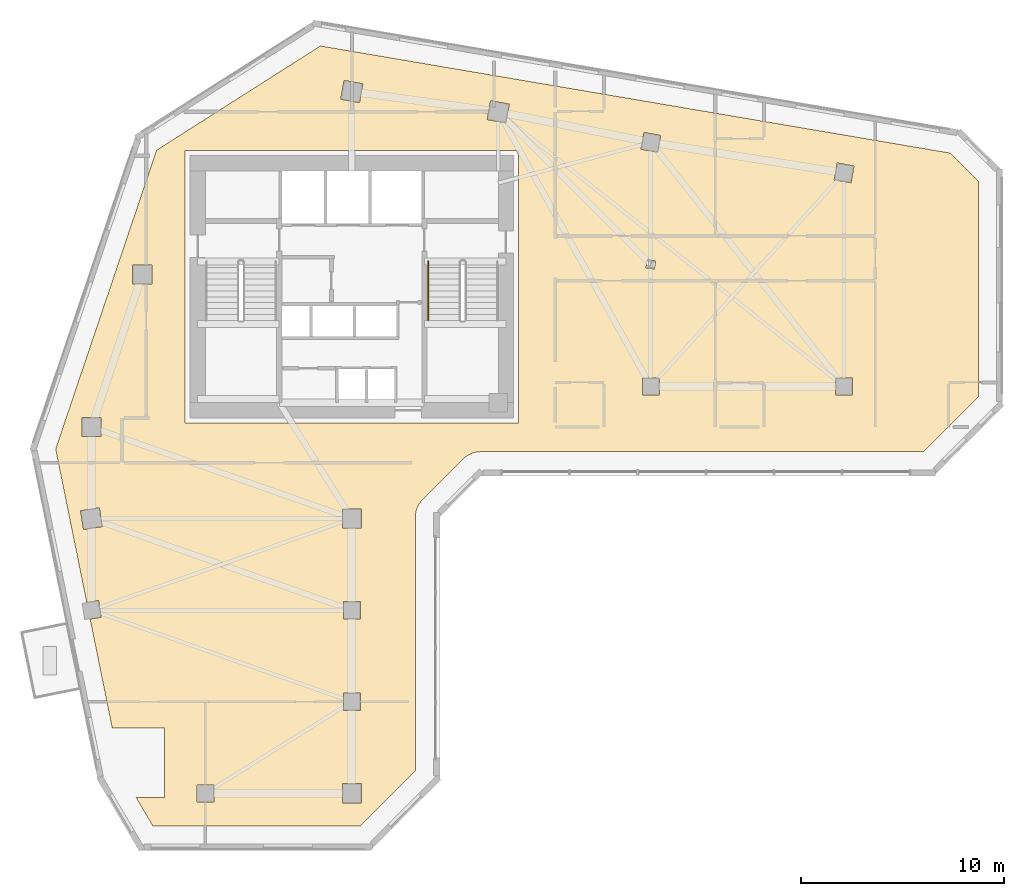
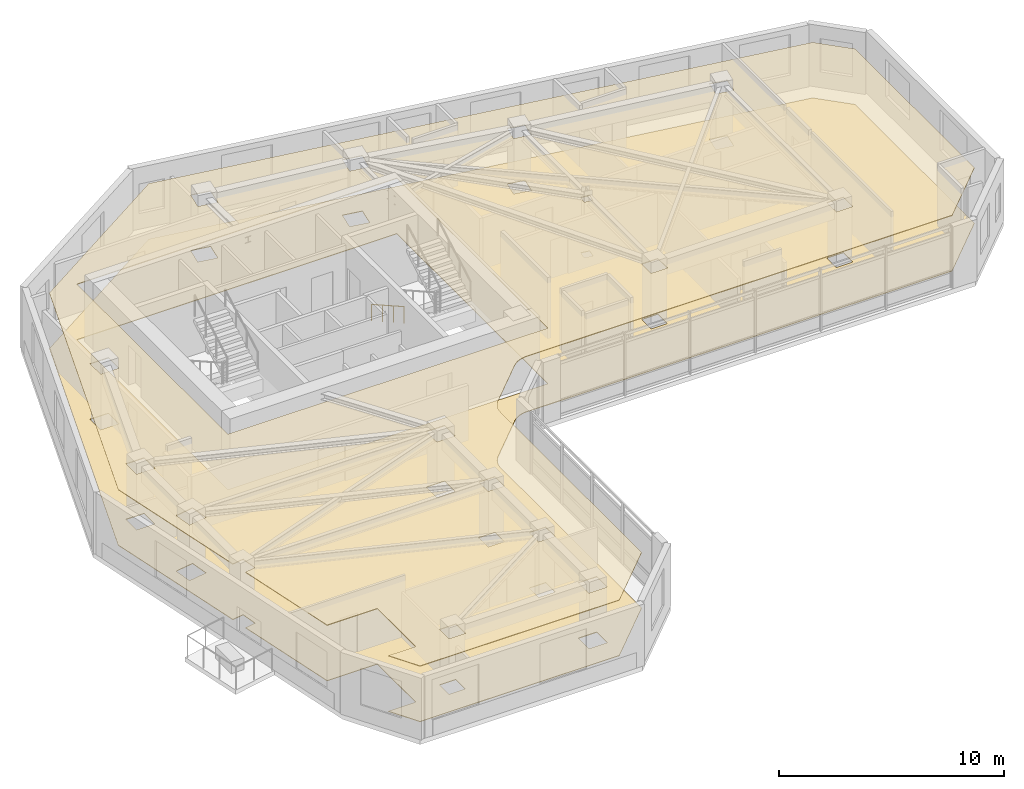
# One storey, part 10 of 11: 2 coverings, 1 railing.
"""IFC4 building model written with IfcOpenShell, lengths in metres."""

from ifc_helpers import new_model, si_unit, direction, frame, origin, origin_2d, place, context, subcontext, project, spatial, polyline, circle, outline, extrude, material, layer, layer_set, type_object, element, save


model = new_model("IFC4")

# Units and contexts
model_context = context("Model", 3, precision=1e-05, world=origin(), true_north=direction((0.0, 1.0)))
body_context = subcontext(model_context, "Body", "Model", "MODEL_VIEW")
ifc_project = project(units=[si_unit("LENGTHUNIT", "METRE"), si_unit("AREAUNIT", "SQUARE_METRE"), si_unit("VOLUMEUNIT", "CUBIC_METRE"), si_unit("PLANEANGLEUNIT", "RADIAN"), si_unit("MASSUNIT", "GRAM", prefix="KILO")], contexts=[model_context])

# Site, building, storey
site_placement = place(None, origin())
site = spatial("IfcSite", under=ifc_project, at=site_placement, CompositionType="ELEMENT")
building_placement = place(site_placement, origin())
building = spatial("IfcBuilding", under=site, at=building_placement, Name="Calvemar Wedge Station Tower", CompositionType="ELEMENT")
storey_placement = place(building_placement, frame((0.0, 0.0, 161.0)))
storey = spatial("IfcBuildingStorey", under=building, at=storey_placement, Name="L40", CompositionType="ELEMENT", Elevation=161.0)

# Coverings
ifc_material_1 = material(Name="Moisture-resistant gypsum ceiling")
ifc_layer_1 = layer(ifc_material_1, 0.0400390625)
ifc_layer_set_1 = layer_set([ifc_layer_1], Name="Moisture-resistant gypsum ceiling")
covering_type_1 = type_object("IfcCoveringType", Name="COV-CEIL-GYPSUM", PredefinedType="CEILING", material=ifc_layer_set_1)
covering_1_placement = place(storey_placement, frame((0.0, 0.0, 3.0)))
element("IfcCovering", 1, at=covering_1_placement, inside=storey, type_object=covering_type_1, Name="Storey L40 Acoustic Suspended Ceiling", PredefinedType="CEILING", context=body_context, shape_type="SweptSolid", body=[
    extrude(outline(polyline([(27.279541015625, 29.4404296875), (29.279541015625, 31.4404296875), (29.36669921875, 31.51953125), (29.461181640625, 31.58984375), (29.562255859375, 31.650390625), (29.668701171875, 31.70068359375), (29.77978515625, 31.740234375), (29.893798828125, 31.768798828125), (30.010498046875, 31.7861328125), (30.1279296875, 31.7919921875), (51.90283203125, 31.7919921875), (54.60009765625, 34.489013671875), (54.60009765625, 45.094970703125), (53.221923828125, 46.47314453125), (22.25439453125, 51.739501953125), (14.201416015625, 46.614990234375), (9.240234375, 31.922119140625), (10.76904296875, 24.388427734375), (11.348388671875, 24.481201171875), (11.481201171875, 23.651611328125), (10.936279296875, 23.564453125), (12.02490234375, 18.199951171875), (14.60009765625, 18.199951171875), (14.60009765625, 14.800048828125), (13.19091796875, 14.800048828125), (14.014404296875, 13.39990234375), (24.23095703125, 13.39990234375), (26.927978515625, 16.09716796875), (26.927978515625, 28.592041015625), (26.933837890625, 28.709716796875), (26.951171875, 28.826171875), (26.979736328125, 28.940185546875), (27.019287109375, 29.05126953125), (27.069580078125, 29.15771484375), (27.130126953125, 29.2587890625), (27.200439453125, 29.353271484375), (27.279541015625, 29.4404296875)]), holes=[polyline([(15.60009765625, 46.60009765625), (32.0, 46.60009765625), (32.0, 33.199951171875), (15.60009765625, 33.199951171875), (15.60009765625, 46.60009765625)]), polyline([(10.530029296875, 32.530029296875), (10.530029296875, 33.469970703125), (11.469970703125, 33.469970703125), (11.469970703125, 32.530029296875), (10.530029296875, 32.530029296875)]), polyline([(13.030029296875, 40.969970703125), (13.969970703125, 40.969970703125), (13.969970703125, 40.030029296875), (13.030029296875, 40.030029296875), (13.030029296875, 40.969970703125)]), polyline([(24.345703125, 49.87939453125), (24.17919921875, 48.9541015625), (23.254150390625, 49.12060546875), (23.420654296875, 50.0458984375), (24.345703125, 49.87939453125)]), polyline([(31.37939453125, 47.9541015625), (30.4541015625, 48.12060546875), (30.62060546875, 49.0458984375), (31.5458984375, 48.87939453125), (31.37939453125, 47.9541015625)]), polyline([(38.01220703125, 46.660888671875), (38.160888671875, 47.48779296875), (38.98779296875, 47.339111328125), (38.839111328125, 46.51220703125), (38.01220703125, 46.660888671875)]), polyline([(47.660888671875, 45.98779296875), (48.48779296875, 45.839111328125), (48.339111328125, 45.01220703125), (47.51220703125, 45.160888671875), (47.660888671875, 45.98779296875)]), polyline([(38.919921875, 35.419921875), (38.919921875, 34.580078125), (38.080078125, 34.580078125), (38.080078125, 35.419921875), (38.919921875, 35.419921875)]), polyline([(48.419921875, 34.580078125), (47.580078125, 34.580078125), (47.580078125, 35.419921875), (48.419921875, 35.419921875), (48.419921875, 34.580078125)]), polyline([(38.259765625, 40.833984375), (38.332763671875, 41.239501953125), (38.740234375, 41.166015625), (38.667236328125, 40.760498046875), (38.259765625, 40.833984375)]), polyline([(11.389892578125, 29.038330078125), (11.538330078125, 28.110107421875), (10.610107421875, 27.961669921875), (10.461669921875, 28.889892578125), (11.389892578125, 29.038330078125)]), polyline([(24.27001953125, 28.030029296875), (23.330078125, 28.030029296875), (23.330078125, 28.969970703125), (24.27001953125, 28.969970703125), (24.27001953125, 28.030029296875)]), polyline([(23.3798828125, 23.580078125), (23.3798828125, 24.419921875), (24.219970703125, 24.419921875), (24.219970703125, 23.580078125), (23.3798828125, 23.580078125)]), polyline([(23.3798828125, 19.919921875), (24.219970703125, 19.919921875), (24.219970703125, 19.080078125), (23.3798828125, 19.080078125), (23.3798828125, 19.919921875)]), polyline([(24.27001953125, 15.469970703125), (24.27001953125, 14.530029296875), (23.330078125, 14.530029296875), (23.330078125, 15.469970703125), (24.27001953125, 15.469970703125)]), polyline([(17.02001953125, 14.580078125), (16.179931640625, 14.580078125), (16.179931640625, 15.419921875), (17.02001953125, 15.419921875), (17.02001953125, 14.580078125)])]), origin(), (0.0, 0.0, 1.0), 0.0400390625),
])
ifc_material_2 = material(Name="Honed coastal granite stone tile", Category="masonry")
ifc_layer_2 = layer(ifc_material_2, 0.030029296875)
ifc_layer_set_2 = layer_set([ifc_layer_2], Name="Honed coastal granite stone tile")
covering_type_2 = type_object("IfcCoveringType", Name="COV-FLR-STONE", PredefinedType="FLOORING", material=ifc_layer_set_2)
covering_2_placement = place(storey_placement, origin())
element("IfcCovering", 2, at=covering_2_placement, inside=storey, type_object=covering_type_2, Name="Storey L40 Architectural Floor Finish", PredefinedType="FLOORING", context=body_context, shape_type="SweptSolid", body=[
    extrude(outline(polyline([(27.279541015625, 29.4404296875), (29.279541015625, 31.4404296875), (29.36669921875, 31.51953125), (29.461181640625, 31.58984375), (29.562255859375, 31.650390625), (29.668701171875, 31.70068359375), (29.77978515625, 31.740234375), (29.893798828125, 31.768798828125), (30.010498046875, 31.7861328125), (30.1279296875, 31.7919921875), (51.90283203125, 31.7919921875), (54.60009765625, 34.489013671875), (54.60009765625, 45.094970703125), (53.221923828125, 46.47314453125), (22.25439453125, 51.739501953125), (14.201416015625, 46.614990234375), (9.240234375, 31.922119140625), (10.76904296875, 24.388427734375), (11.348388671875, 24.481201171875), (11.481201171875, 23.651611328125), (10.936279296875, 23.564453125), (12.02490234375, 18.199951171875), (14.60009765625, 18.199951171875), (14.60009765625, 14.800048828125), (13.19091796875, 14.800048828125), (14.014404296875, 13.39990234375), (24.23095703125, 13.39990234375), (26.927978515625, 16.09716796875), (26.927978515625, 28.592041015625), (26.933837890625, 28.709716796875), (26.951171875, 28.826171875), (26.979736328125, 28.940185546875), (27.019287109375, 29.05126953125), (27.069580078125, 29.15771484375), (27.130126953125, 29.2587890625), (27.200439453125, 29.353271484375), (27.279541015625, 29.4404296875)]), holes=[polyline([(15.60009765625, 46.60009765625), (32.0, 46.60009765625), (32.0, 33.199951171875), (15.60009765625, 33.199951171875), (15.60009765625, 46.60009765625)]), polyline([(10.530029296875, 32.530029296875), (10.530029296875, 33.469970703125), (11.469970703125, 33.469970703125), (11.469970703125, 32.530029296875), (10.530029296875, 32.530029296875)]), polyline([(13.030029296875, 40.969970703125), (13.969970703125, 40.969970703125), (13.969970703125, 40.030029296875), (13.030029296875, 40.030029296875), (13.030029296875, 40.969970703125)]), polyline([(24.345703125, 49.87939453125), (24.17919921875, 48.9541015625), (23.254150390625, 49.12060546875), (23.420654296875, 50.0458984375), (24.345703125, 49.87939453125)]), polyline([(31.37939453125, 47.9541015625), (30.4541015625, 48.12060546875), (30.62060546875, 49.0458984375), (31.5458984375, 48.87939453125), (31.37939453125, 47.9541015625)]), polyline([(38.01220703125, 46.660888671875), (38.160888671875, 47.48779296875), (38.98779296875, 47.339111328125), (38.839111328125, 46.51220703125), (38.01220703125, 46.660888671875)]), polyline([(47.660888671875, 45.98779296875), (48.48779296875, 45.839111328125), (48.339111328125, 45.01220703125), (47.51220703125, 45.160888671875), (47.660888671875, 45.98779296875)]), polyline([(38.919921875, 35.419921875), (38.919921875, 34.580078125), (38.080078125, 34.580078125), (38.080078125, 35.419921875), (38.919921875, 35.419921875)]), polyline([(48.419921875, 34.580078125), (47.580078125, 34.580078125), (47.580078125, 35.419921875), (48.419921875, 35.419921875), (48.419921875, 34.580078125)]), polyline([(38.259765625, 40.833984375), (38.332763671875, 41.239501953125), (38.740234375, 41.166015625), (38.667236328125, 40.760498046875), (38.259765625, 40.833984375)]), polyline([(11.389892578125, 29.038330078125), (11.538330078125, 28.110107421875), (10.610107421875, 27.961669921875), (10.461669921875, 28.889892578125), (11.389892578125, 29.038330078125)]), polyline([(24.27001953125, 28.030029296875), (23.330078125, 28.030029296875), (23.330078125, 28.969970703125), (24.27001953125, 28.969970703125), (24.27001953125, 28.030029296875)]), polyline([(23.3798828125, 23.580078125), (23.3798828125, 24.419921875), (24.219970703125, 24.419921875), (24.219970703125, 23.580078125), (23.3798828125, 23.580078125)]), polyline([(23.3798828125, 19.919921875), (24.219970703125, 19.919921875), (24.219970703125, 19.080078125), (23.3798828125, 19.080078125), (23.3798828125, 19.919921875)]), polyline([(24.27001953125, 15.469970703125), (24.27001953125, 14.530029296875), (23.330078125, 14.530029296875), (23.330078125, 15.469970703125), (24.27001953125, 15.469970703125)]), polyline([(17.02001953125, 14.580078125), (16.179931640625, 14.580078125), (16.179931640625, 15.419921875), (17.02001953125, 15.419921875), (17.02001953125, 14.580078125)])]), origin(), (0.0, 0.0, 1.0), 0.030029296875),
])

# Railing
ifc_material_3 = material(Name="Stainless steel AISI 316L", Category="steel")
railing_type = type_object("IfcRailingType", Name="RL-HANDRAIL-920", PredefinedType="HANDRAIL", material=ifc_material_3)
railing_placement = place(storey_placement, frame((27.550048828125, 41.14990234375, 0.16357421875)))
element("IfcRailing", 3, at=railing_placement, inside=storey, type_object=railing_type, Name="L40 ST-C2 stair handrail 1", PredefinedType="HANDRAIL", context=body_context, shape_type="SweptSolid", body=[
    extrude(circle(Radius=0.02392578125, at=origin_2d()), frame((0.0, 0.0, 0.89599609375), z_axis=(0.0, -0.870897200241, 0.491465224214), x_axis=(1.0, 0.0, 0.0)), (0.0, 0.0, 1.0), 3.329833984375),
    extrude(circle(Radius=0.02099609375, at=origin_2d()), origin(), (0.0, 0.0, 1.0), 0.871826171875),
    extrude(circle(Radius=0.02099609375, at=origin_2d()), frame((0.0, -0.966552734375, 0.54541015625)), (0.0, 0.0, 1.0), 0.871826171875),
    extrude(circle(Radius=0.02099609375, at=origin_2d()), frame((0.0, -1.933349609375, 1.091064453125)), (0.0, 0.0, 1.0), 0.871826171875),
    extrude(circle(Radius=0.02099609375, at=origin_2d()), frame((0.0, -2.89990234375, 1.636474609375)), (0.0, 0.0, 1.0), 0.871826171875),
])

save(model, "model.ifc")
